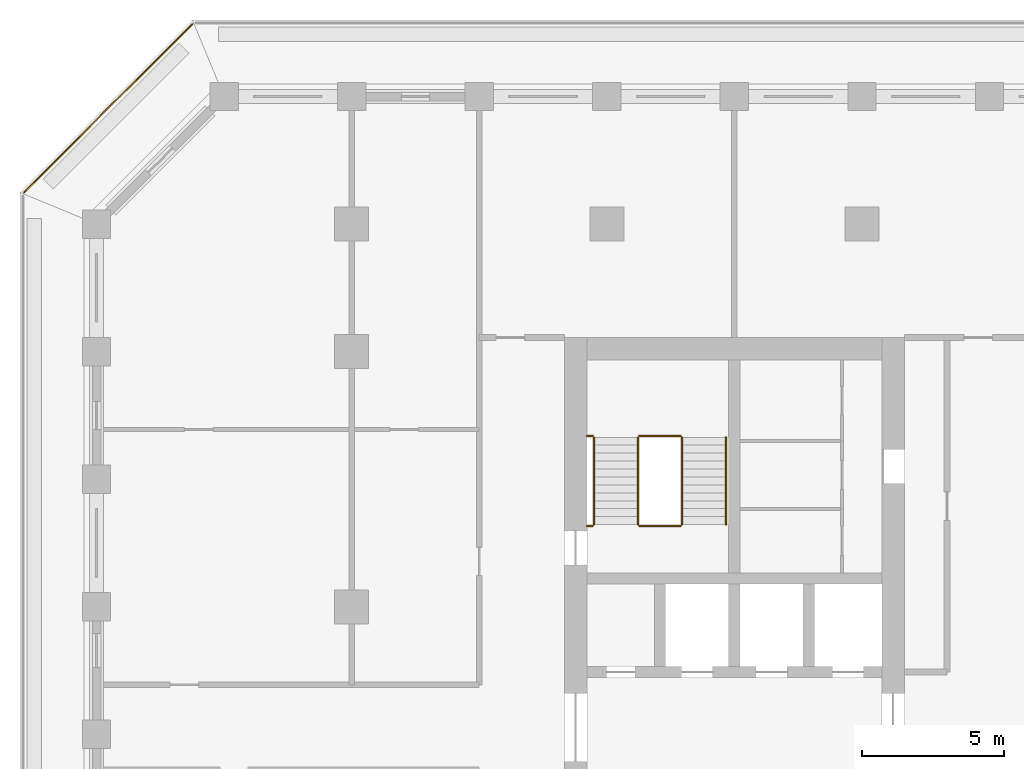
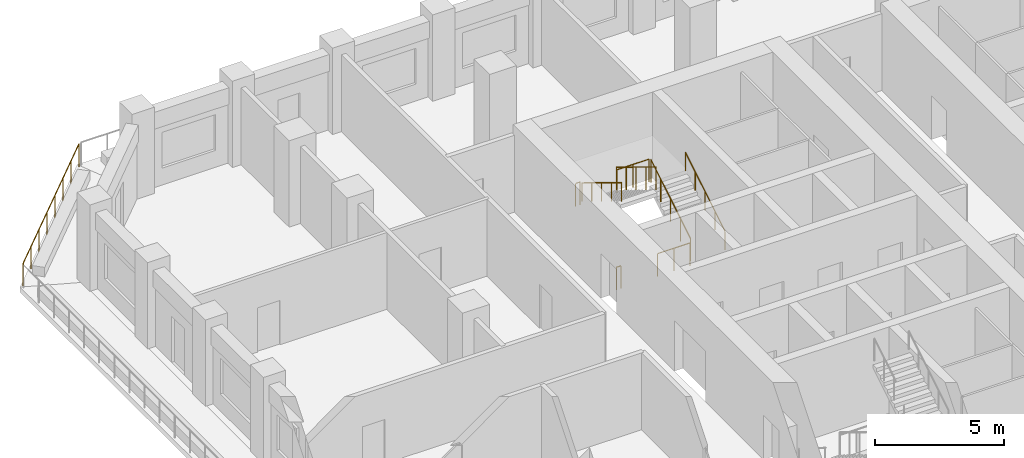
# One storey, part 13 of 16: 9 railings.
"""IFC4 building model written with IfcOpenShell, lengths in metres."""

from ifc_helpers import new_model, si_unit, direction, frame, origin, origin_2d, place, context, subcontext, project, spatial, circle, extrude, material, type_object, element, save


model = new_model("IFC4")

# Units and contexts
model_context = context("Model", 3, precision=1e-05, world=origin(), true_north=direction((0.0, 1.0)))
body_context = subcontext(model_context, "Body", "Model", "MODEL_VIEW")
ifc_project = project(units=[si_unit("LENGTHUNIT", "METRE"), si_unit("AREAUNIT", "SQUARE_METRE"), si_unit("VOLUMEUNIT", "CUBIC_METRE"), si_unit("PLANEANGLEUNIT", "RADIAN"), si_unit("MASSUNIT", "GRAM", prefix="KILO")], contexts=[model_context])

# Site, building, storey
site_placement = place(None, origin())
site = spatial("IfcSite", under=ifc_project, at=site_placement, CompositionType="ELEMENT")
building_placement = place(site_placement, origin())
building = spatial("IfcBuilding", under=site, at=building_placement, Name="Corbel Stack Research Tower", CompositionType="ELEMENT")
storey_placement = place(building_placement, frame((0.0, 0.0, 169.10009765625)))
storey = spatial("IfcBuildingStorey", under=building, at=storey_placement, Name="L38", CompositionType="ELEMENT", Elevation=169.10009765625)

# Railings
ifc_material_1 = material(Name="Steel S355", Category="steel")
railing_type_1 = type_object("IfcRailingType", Name="Stair guard 1100", PredefinedType="GUARDRAIL", material=ifc_material_1)
railing_1_placement = place(storey_placement, frame((-6.35009765625, 11.89990234375, 0.170654296875)))
element("IfcRailing", 1, at=railing_1_placement, inside=storey, type_object=railing_type_1, Name="L38 ST-W2 stair guard 1", PredefinedType="GUARDRAIL", context=body_context, shape_type="SweptSolid", body=[
    extrude(circle(Radius=0.02392578125, at=origin_2d()), frame((0.0, 0.0, 1.076171875), z_axis=(0.0, 0.853666305674, 0.52082035152), x_axis=(-1.0, 0.0, 0.0)), (0.0, 0.0, 1.0), 3.608154296875),
    extrude(circle(Radius=0.02099609375, at=origin_2d()), origin(), (0.0, 0.0, 1.0), 1.052001953125),
    extrude(circle(Radius=0.02099609375, at=origin_2d()), frame((0.0, 0.77001953125, 0.4697265625)), (0.0, 0.0, 1.0), 1.052001953125),
    extrude(circle(Radius=0.02099609375, at=origin_2d()), frame((0.0, 1.5400390625, 0.939453125)), (0.0, 0.0, 1.0), 1.052001953125),
    extrude(circle(Radius=0.02099609375, at=origin_2d()), frame((0.0, 2.31005859375, 1.409423828125)), (0.0, 0.0, 1.0), 1.052001953125),
    extrude(circle(Radius=0.02099609375, at=origin_2d()), frame((0.0, 3.080078125, 1.879150390625)), (0.0, 0.0, 1.0), 1.052001953125),
])
railing_2_placement = place(storey_placement, frame((-6.39990234375, 15.030029296875, 2.0498046875)))
element("IfcRailing", 2, at=railing_2_placement, inside=storey, type_object=railing_type_1, Name="L38 ST-W2 stair guard 2", PredefinedType="GUARDRAIL", context=body_context, shape_type="SweptSolid", body=[
    extrude(circle(Radius=0.02392578125, at=origin_2d()), frame((0.0, 0.0, 1.076171875), z_axis=(-1.0, 0.0, 0.0), x_axis=(0.0, -1.0, 0.0)), (0.0, 0.0, 1.0), 1.4501953125),
    extrude(circle(Radius=0.02099609375, at=origin_2d()), origin(), (0.0, 0.0, 1.0), 1.052001953125),
    extrude(circle(Radius=0.02099609375, at=origin_2d()), frame((-0.72509765625, 0.0, 0.0)), (0.0, 0.0, 1.0), 1.052001953125),
    extrude(circle(Radius=0.02099609375, at=origin_2d()), frame((-1.4501953125, 0.0, 0.0)), (0.0, 0.0, 1.0), 1.052001953125),
])
railing_3_placement = place(storey_placement, frame((-9.5, 15.030029296875, 2.0498046875)))
element("IfcRailing", 3, at=railing_3_placement, inside=storey, type_object=railing_type_1, Name="L38 ST-W2 stair guard 3", PredefinedType="GUARDRAIL", context=body_context, shape_type="SweptSolid", body=[
    extrude(circle(Radius=0.02392578125, at=origin_2d()), frame((0.0, 0.0, 1.076171875), z_axis=(-1.0, 0.0, 0.0), x_axis=(0.0, -1.0, 0.0)), (0.0, 0.0, 1.0), 0.199951171875),
    extrude(circle(Radius=0.02099609375, at=origin_2d()), origin(), (0.0, 0.0, 1.0), 1.052001953125),
    extrude(circle(Radius=0.02099609375, at=origin_2d()), frame((-0.199951171875, 0.0, 0.0)), (0.0, 0.0, 1.0), 1.052001953125),
])
railing_4_placement = place(storey_placement, frame((-7.89990234375, 14.97998046875, 2.220703125)))
element("IfcRailing", 4, at=railing_4_placement, inside=storey, type_object=railing_type_1, Name="L38 ST-W2 stair guard 4", PredefinedType="GUARDRAIL", context=body_context, shape_type="SweptSolid", body=[
    extrude(circle(Radius=0.02392578125, at=origin_2d()), frame((0.0, 0.0, 1.076171875), z_axis=(0.0, -0.853666305674, 0.52082035152), x_axis=(1.0, 0.0, 0.0)), (0.0, 0.0, 1.0), 3.608154296875),
    extrude(circle(Radius=0.02099609375, at=origin_2d()), origin(), (0.0, 0.0, 1.0), 1.052001953125),
    extrude(circle(Radius=0.02099609375, at=origin_2d()), frame((0.0, -0.77001953125, 0.4697265625)), (0.0, 0.0, 1.0), 1.052001953125),
    extrude(circle(Radius=0.02099609375, at=origin_2d()), frame((0.0, -1.5400390625, 0.939453125)), (0.0, 0.0, 1.0), 1.052001953125),
    extrude(circle(Radius=0.02099609375, at=origin_2d()), frame((0.0, -2.31005859375, 1.409423828125)), (0.0, 0.0, 1.0), 1.052001953125),
    extrude(circle(Radius=0.02099609375, at=origin_2d()), frame((0.0, -3.080078125, 1.879150390625)), (0.0, 0.0, 1.0), 1.052001953125),
])
railing_5_placement = place(storey_placement, frame((-6.39990234375, 11.85009765625, 0.0)))
element("IfcRailing", 5, at=railing_5_placement, inside=storey, type_object=railing_type_1, Name="L38 ST-W2 stair guard 5", PredefinedType="GUARDRAIL", context=body_context, shape_type="SweptSolid", body=[
    extrude(circle(Radius=0.02392578125, at=origin_2d()), frame((0.0, 0.0, 1.076171875), z_axis=(-1.0, 0.0, 0.0), x_axis=(0.0, -1.0, 0.0)), (0.0, 0.0, 1.0), 1.4501953125),
    extrude(circle(Radius=0.02099609375, at=origin_2d()), origin(), (0.0, 0.0, 1.0), 1.052001953125),
    extrude(circle(Radius=0.02099609375, at=origin_2d()), frame((-0.72509765625, 0.0, 0.0)), (0.0, 0.0, 1.0), 1.052001953125),
    extrude(circle(Radius=0.02099609375, at=origin_2d()), frame((-1.4501953125, 0.0, 0.0)), (0.0, 0.0, 1.0), 1.052001953125),
])
railing_6_placement = place(storey_placement, frame((-9.5, 11.85009765625, 0.0)))
element("IfcRailing", 6, at=railing_6_placement, inside=storey, type_object=railing_type_1, Name="L38 ST-W2 stair guard 6", PredefinedType="GUARDRAIL", context=body_context, shape_type="SweptSolid", body=[
    extrude(circle(Radius=0.02392578125, at=origin_2d()), frame((0.0, 0.0, 1.076171875), z_axis=(-1.0, 0.0, 0.0), x_axis=(0.0, -1.0, 0.0)), (0.0, 0.0, 1.0), 0.199951171875),
    extrude(circle(Radius=0.02099609375, at=origin_2d()), origin(), (0.0, 0.0, 1.0), 1.052001953125),
    extrude(circle(Radius=0.02099609375, at=origin_2d()), frame((-0.199951171875, 0.0, 0.0)), (0.0, 0.0, 1.0), 1.052001953125),
])
ifc_material_2 = material(Name="Steel S355", Category="steel")
railing_type_2 = type_object("IfcRailingType", Name="Stair handrail 900", PredefinedType="HANDRAIL", material=ifc_material_2)
railing_7_placement = place(storey_placement, frame((-4.800048828125, 11.89990234375, 0.170654296875)))
element("IfcRailing", 7, at=railing_7_placement, inside=storey, type_object=railing_type_2, Name="L38 ST-W2 stair handrail 1", PredefinedType="HANDRAIL", context=body_context, shape_type="SweptSolid", body=[
    extrude(circle(Radius=0.02392578125, at=origin_2d()), frame((0.0, 0.0, 0.8759765625), z_axis=(0.0, 0.853666305674, 0.52082035152), x_axis=(-1.0, 0.0, 0.0)), (0.0, 0.0, 1.0), 3.608154296875),
    extrude(circle(Radius=0.02099609375, at=origin_2d()), origin(), (0.0, 0.0, 1.0), 0.851806640625),
    extrude(circle(Radius=0.02099609375, at=origin_2d()), frame((0.0, 0.77001953125, 0.4697265625)), (0.0, 0.0, 1.0), 0.851806640625),
    extrude(circle(Radius=0.02099609375, at=origin_2d()), frame((0.0, 1.5400390625, 0.939453125)), (0.0, 0.0, 1.0), 0.851806640625),
    extrude(circle(Radius=0.02099609375, at=origin_2d()), frame((0.0, 2.31005859375, 1.409423828125)), (0.0, 0.0, 1.0), 0.851806640625),
    extrude(circle(Radius=0.02099609375, at=origin_2d()), frame((0.0, 3.080078125, 1.879150390625)), (0.0, 0.0, 1.0), 0.851806640625),
])
railing_8_placement = place(storey_placement, frame((-9.449951171875, 14.97998046875, 2.220703125)))
element("IfcRailing", 8, at=railing_8_placement, inside=storey, type_object=railing_type_2, Name="L38 ST-W2 stair handrail 2", PredefinedType="HANDRAIL", context=body_context, shape_type="SweptSolid", body=[
    extrude(circle(Radius=0.02392578125, at=origin_2d()), frame((0.0, 0.0, 0.8759765625), z_axis=(0.0, -0.853666305674, 0.52082035152), x_axis=(1.0, 0.0, 0.0)), (0.0, 0.0, 1.0), 3.608154296875),
    extrude(circle(Radius=0.02099609375, at=origin_2d()), origin(), (0.0, 0.0, 1.0), 0.851806640625),
    extrude(circle(Radius=0.02099609375, at=origin_2d()), frame((0.0, -0.77001953125, 0.4697265625)), (0.0, 0.0, 1.0), 0.851806640625),
    extrude(circle(Radius=0.02099609375, at=origin_2d()), frame((0.0, -1.5400390625, 0.939453125)), (0.0, 0.0, 1.0), 0.851806640625),
    extrude(circle(Radius=0.02099609375, at=origin_2d()), frame((0.0, -2.31005859375, 1.409423828125)), (0.0, 0.0, 1.0), 0.851806640625),
    extrude(circle(Radius=0.02099609375, at=origin_2d()), frame((0.0, -3.080078125, 1.879150390625)), (0.0, 0.0, 1.0), 0.851806640625),
])
ifc_material_3 = material(Name="Powder-coated steel guard", Category="steel")
railing_type_3 = type_object("IfcRailingType", Name="Steel and glass guard 1100", PredefinedType="GUARDRAIL", material=ifc_material_3)
railing_9_placement = place(storey_placement, frame((-23.627685546875, 29.54931640625, 0.0)))
element("IfcRailing", 9, at=railing_9_placement, inside=storey, type_object=railing_type_3, Name="Loggia guard L38 NW", PredefinedType="GUARDRAIL", context=body_context, shape_type="SweptSolid", body=[
    extrude(circle(Radius=0.02392578125, at=origin_2d()), frame((0.0, 0.0, 1.076171875), z_axis=(-0.707106781187, -0.707106781187, 0.0), x_axis=(0.707106781187, -0.707106781187, 0.0)), (0.0, 0.0, 1.0), 8.37451171875),
    extrude(circle(Radius=0.02099609375, at=origin_2d()), origin(), (0.0, 0.0, 1.0), 1.052001953125),
    extrude(circle(Radius=0.02099609375, at=origin_2d()), frame((-0.845947265625, -0.845947265625, 0.0)), (0.0, 0.0, 1.0), 1.052001953125),
    extrude(circle(Radius=0.02099609375, at=origin_2d()), frame((-1.69189453125, -1.69189453125, 0.0)), (0.0, 0.0, 1.0), 1.052001953125),
    extrude(circle(Radius=0.02099609375, at=origin_2d()), frame((-2.537841796875, -2.537841796875, 0.0)), (0.0, 0.0, 1.0), 1.052001953125),
    extrude(circle(Radius=0.02099609375, at=origin_2d()), frame((-3.3837890625, -3.3837890625, 0.0)), (0.0, 0.0, 1.0), 1.052001953125),
    extrude(circle(Radius=0.02099609375, at=origin_2d()), frame((-4.229736328125, -4.229736328125, 0.0)), (0.0, 0.0, 1.0), 1.052001953125),
    extrude(circle(Radius=0.02099609375, at=origin_2d()), frame((-5.07568359375, -5.07568359375, 0.0)), (0.0, 0.0, 1.0), 1.052001953125),
    extrude(circle(Radius=0.02099609375, at=origin_2d()), frame((-5.921630859375, -5.921630859375, 0.0)), (0.0, 0.0, 1.0), 1.052001953125),
])

save(model, "model.ifc")
